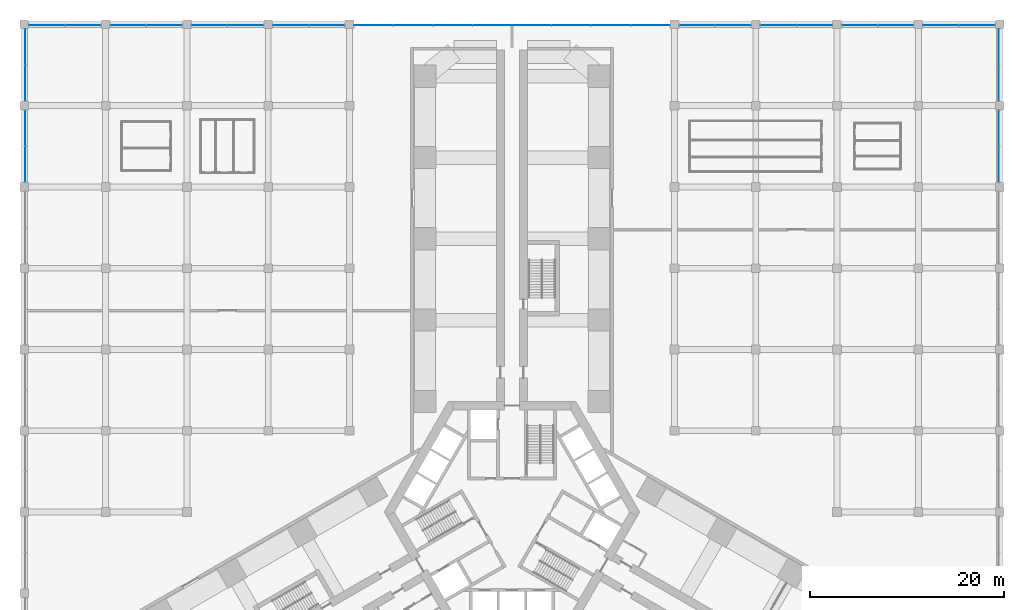
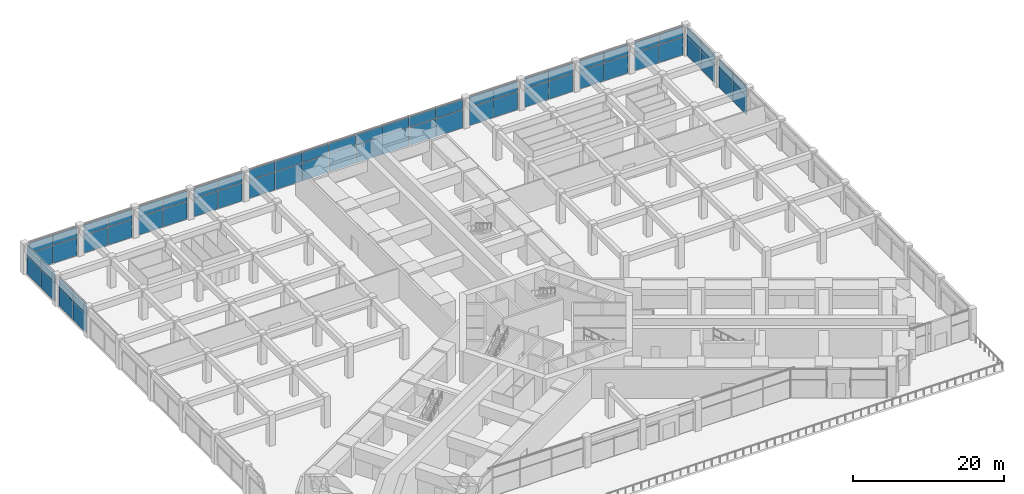
# One storey, part 25 of 34: 64 plates, 13 elements without a shape of their own.
"""IFC4 building model written with IfcOpenShell, lengths in metres."""

from ifc_helpers import new_model, si_unit, direction, frame, origin, origin_2d, place, context, subcontext, project, spatial, rectangle, extrude, material, layer, layer_set, type_object, element, aggregate, save


model = new_model("IFC4")

# Units and contexts
model_context = context("Model", 3, precision=1e-05, world=origin(), true_north=direction((0.0, 1.0)))
body_context = subcontext(model_context, "Body", "Model", "MODEL_VIEW")
ifc_project = project(units=[si_unit("LENGTHUNIT", "METRE"), si_unit("AREAUNIT", "SQUARE_METRE"), si_unit("VOLUMEUNIT", "CUBIC_METRE"), si_unit("PLANEANGLEUNIT", "RADIAN"), si_unit("MASSUNIT", "GRAM", prefix="KILO")], contexts=[model_context])

# Site, building, storey
site_placement = place(None, origin())
site = spatial("IfcSite", under=ifc_project, at=site_placement, CompositionType="ELEMENT")
building_placement = place(site_placement, origin())
building = spatial("IfcBuilding", under=site, at=building_placement, Name="Impinga Residences", CompositionType="ELEMENT")
storey_placement = place(building_placement, frame((0.0, 0.0, 11.0)))
storey = spatial("IfcBuildingStorey", under=building, at=storey_placement, Name="L02", CompositionType="ELEMENT", Elevation=11.0)

# Curtain wall, plates
ifc_material_1 = material(Name="Aluminium stick curtain wall", Category="aluminium")
curtain_wall_type = type_object("IfcCurtainWallType", Name="CW1 podium amenity curtain wall", PredefinedType="USERDEFINED", material=ifc_material_1)
curtain_wall_1_placement = place(storey_placement, origin())
curtain_wall_1 = element("IfcCurtainWall", 1, at=curtain_wall_1_placement, inside=storey, type_object=curtain_wall_type, Name="Curtain wall CW1 L02", ObjectType="STICK CURTAIN WALL", PredefinedType="USERDEFINED")
ifc_material_2 = material(Name="Clear double glazing", Category="glass")
ifc_layer = layer(ifc_material_2, 0.028076171875)
ifc_layer_set = layer_set([ifc_layer], Name="CW1-P clear double glazed panel 28")
plate_type = type_object("IfcPlateType", Name="CW1-P clear double glazed panel 28", PredefinedType="CURTAIN_PANEL", material=ifc_layer_set)
plate_1_placement = place(storey_placement, frame((-50.300048828125, 35.94140625, 0.06005859375), z_axis=(0.0, 0.0, 1.0), x_axis=(0.0, 1.0, 0.0)))
plate_1 = element("IfcPlate", 2, at=plate_1_placement, type_object=plate_type, Name="CW1 panel 1.1", PredefinedType="CURTAIN_PANEL", context=body_context, shape_type="SweptSolid", body=[
    extrude(rectangle(XDim=3.656982421875, YDim=0.028076171875, at=origin_2d()), origin(), (0.0, 0.0, 1.0), 2.909912109375),
])
plate_2_placement = place(storey_placement, frame((-50.300048828125, 35.94140625, 3.02978515625), z_axis=(0.0, 0.0, 1.0), x_axis=(0.0, 1.0, 0.0)))
plate_2 = element("IfcPlate", 3, at=plate_2_placement, type_object=plate_type, Name="CW1 panel 1.2", PredefinedType="CURTAIN_PANEL", context=body_context, shape_type="SweptSolid", body=[
    extrude(rectangle(XDim=3.656982421875, YDim=0.028076171875, at=origin_2d()), origin(), (0.0, 0.0, 1.0), 1.610107421875),
])
plate_3_placement = place(storey_placement, frame((-50.300048828125, 39.658447265625, 0.06005859375), z_axis=(0.0, 0.0, 1.0), x_axis=(0.0, 1.0, 0.0)))
plate_3 = element("IfcPlate", 4, at=plate_3_placement, type_object=plate_type, Name="CW1 panel 2.1", PredefinedType="CURTAIN_PANEL", context=body_context, shape_type="SweptSolid", body=[
    extrude(rectangle(XDim=3.656982421875, YDim=0.028076171875, at=origin_2d()), origin(), (0.0, 0.0, 1.0), 2.909912109375),
])
plate_4_placement = place(storey_placement, frame((-50.300048828125, 39.658447265625, 3.02978515625), z_axis=(0.0, 0.0, 1.0), x_axis=(0.0, 1.0, 0.0)))
plate_4 = element("IfcPlate", 5, at=plate_4_placement, type_object=plate_type, Name="CW1 panel 2.2", PredefinedType="CURTAIN_PANEL", context=body_context, shape_type="SweptSolid", body=[
    extrude(rectangle(XDim=3.656982421875, YDim=0.028076171875, at=origin_2d()), origin(), (0.0, 0.0, 1.0), 1.610107421875),
])
aggregate(curtain_wall_1, [plate_1, plate_2, plate_3, plate_4])

curtain_wall_2_placement = place(storey_placement, origin())
curtain_wall_2 = element("IfcCurtainWall", 6, at=curtain_wall_2_placement, inside=storey, type_object=curtain_wall_type, Name="Curtain wall CW1 L02", ObjectType="STICK CURTAIN WALL", PredefinedType="USERDEFINED")
plate_5_placement = place(storey_placement, frame((-50.300048828125, 44.341552734375, 0.06005859375), z_axis=(0.0, 0.0, 1.0), x_axis=(0.0, 1.0, 0.0)))
plate_5 = element("IfcPlate", 7, at=plate_5_placement, type_object=plate_type, Name="CW1 panel 1.1", PredefinedType="CURTAIN_PANEL", context=body_context, shape_type="SweptSolid", body=[
    extrude(rectangle(XDim=3.656982421875, YDim=0.028076171875, at=origin_2d()), origin(), (0.0, 0.0, 1.0), 2.909912109375),
])
plate_6_placement = place(storey_placement, frame((-50.300048828125, 44.341552734375, 3.02978515625), z_axis=(0.0, 0.0, 1.0), x_axis=(0.0, 1.0, 0.0)))
plate_6 = element("IfcPlate", 8, at=plate_6_placement, type_object=plate_type, Name="CW1 panel 1.2", PredefinedType="CURTAIN_PANEL", context=body_context, shape_type="SweptSolid", body=[
    extrude(rectangle(XDim=3.656982421875, YDim=0.028076171875, at=origin_2d()), origin(), (0.0, 0.0, 1.0), 1.610107421875),
])
plate_7_placement = place(storey_placement, frame((-50.300048828125, 48.05859375, 0.06005859375), z_axis=(0.0, 0.0, 1.0), x_axis=(0.0, 1.0, 0.0)))
plate_7 = element("IfcPlate", 9, at=plate_7_placement, type_object=plate_type, Name="CW1 panel 2.1", PredefinedType="CURTAIN_PANEL", context=body_context, shape_type="SweptSolid", body=[
    extrude(rectangle(XDim=3.656982421875, YDim=0.028076171875, at=origin_2d()), origin(), (0.0, 0.0, 1.0), 2.909912109375),
])
plate_8_placement = place(storey_placement, frame((-50.300048828125, 48.05859375, 3.02978515625), z_axis=(0.0, 0.0, 1.0), x_axis=(0.0, 1.0, 0.0)))
plate_8 = element("IfcPlate", 10, at=plate_8_placement, type_object=plate_type, Name="CW1 panel 2.2", PredefinedType="CURTAIN_PANEL", context=body_context, shape_type="SweptSolid", body=[
    extrude(rectangle(XDim=3.656982421875, YDim=0.028076171875, at=origin_2d()), origin(), (0.0, 0.0, 1.0), 1.610107421875),
])
aggregate(curtain_wall_2, [plate_5, plate_6, plate_7, plate_8])

curtain_wall_3_placement = place(storey_placement, origin())
curtain_wall_3 = element("IfcCurtainWall", 11, at=curtain_wall_3_placement, inside=storey, type_object=curtain_wall_type, Name="Curtain wall CW1 L02", ObjectType="STICK CURTAIN WALL", PredefinedType="USERDEFINED")
plate_9_placement = place(storey_placement, frame((-48.05859375, 50.300048828125, 0.06005859375), z_axis=(0.0, 0.0, 1.0), x_axis=(1.0, 0.0, 0.0)))
plate_9 = element("IfcPlate", 12, at=plate_9_placement, type_object=plate_type, Name="CW1 panel 1.1", PredefinedType="CURTAIN_PANEL", context=body_context, shape_type="SweptSolid", body=[
    extrude(rectangle(XDim=3.656982421875, YDim=0.028076171875, at=origin_2d()), origin(), (0.0, 0.0, 1.0), 2.909912109375),
])
plate_10_placement = place(storey_placement, frame((-48.05859375, 50.300048828125, 3.02978515625), z_axis=(0.0, 0.0, 1.0), x_axis=(1.0, 0.0, 0.0)))
plate_10 = element("IfcPlate", 13, at=plate_10_placement, type_object=plate_type, Name="CW1 panel 1.2", PredefinedType="CURTAIN_PANEL", context=body_context, shape_type="SweptSolid", body=[
    extrude(rectangle(XDim=3.656982421875, YDim=0.028076171875, at=origin_2d()), origin(), (0.0, 0.0, 1.0), 1.610107421875),
])
plate_11_placement = place(storey_placement, frame((-44.341552734375, 50.300048828125, 0.06005859375), z_axis=(0.0, 0.0, 1.0), x_axis=(1.0, 0.0, 0.0)))
plate_11 = element("IfcPlate", 14, at=plate_11_placement, type_object=plate_type, Name="CW1 panel 2.1", PredefinedType="CURTAIN_PANEL", context=body_context, shape_type="SweptSolid", body=[
    extrude(rectangle(XDim=3.656982421875, YDim=0.028076171875, at=origin_2d()), origin(), (0.0, 0.0, 1.0), 2.909912109375),
])
plate_12_placement = place(storey_placement, frame((-44.341552734375, 50.300048828125, 3.02978515625), z_axis=(0.0, 0.0, 1.0), x_axis=(1.0, 0.0, 0.0)))
plate_12 = element("IfcPlate", 15, at=plate_12_placement, type_object=plate_type, Name="CW1 panel 2.2", PredefinedType="CURTAIN_PANEL", context=body_context, shape_type="SweptSolid", body=[
    extrude(rectangle(XDim=3.656982421875, YDim=0.028076171875, at=origin_2d()), origin(), (0.0, 0.0, 1.0), 1.610107421875),
])
aggregate(curtain_wall_3, [plate_9, plate_10, plate_11, plate_12])

curtain_wall_4_placement = place(storey_placement, origin())
curtain_wall_4 = element("IfcCurtainWall", 16, at=curtain_wall_4_placement, inside=storey, type_object=curtain_wall_type, Name="Curtain wall CW1 L02", ObjectType="STICK CURTAIN WALL", PredefinedType="USERDEFINED")
plate_13_placement = place(storey_placement, frame((-39.658447265625, 50.300048828125, 0.06005859375), z_axis=(0.0, 0.0, 1.0), x_axis=(1.0, 0.0, 0.0)))
plate_13 = element("IfcPlate", 17, at=plate_13_placement, type_object=plate_type, Name="CW1 panel 1.1", PredefinedType="CURTAIN_PANEL", context=body_context, shape_type="SweptSolid", body=[
    extrude(rectangle(XDim=3.656982421875, YDim=0.028076171875, at=origin_2d()), origin(), (0.0, 0.0, 1.0), 2.909912109375),
])
plate_14_placement = place(storey_placement, frame((-39.658447265625, 50.300048828125, 3.02978515625), z_axis=(0.0, 0.0, 1.0), x_axis=(1.0, 0.0, 0.0)))
plate_14 = element("IfcPlate", 18, at=plate_14_placement, type_object=plate_type, Name="CW1 panel 1.2", PredefinedType="CURTAIN_PANEL", context=body_context, shape_type="SweptSolid", body=[
    extrude(rectangle(XDim=3.656982421875, YDim=0.028076171875, at=origin_2d()), origin(), (0.0, 0.0, 1.0), 1.610107421875),
])
plate_15_placement = place(storey_placement, frame((-35.94140625, 50.300048828125, 0.06005859375), z_axis=(0.0, 0.0, 1.0), x_axis=(1.0, 0.0, 0.0)))
plate_15 = element("IfcPlate", 19, at=plate_15_placement, type_object=plate_type, Name="CW1 panel 2.1", PredefinedType="CURTAIN_PANEL", context=body_context, shape_type="SweptSolid", body=[
    extrude(rectangle(XDim=3.656982421875, YDim=0.028076171875, at=origin_2d()), origin(), (0.0, 0.0, 1.0), 2.909912109375),
])
plate_16_placement = place(storey_placement, frame((-35.94140625, 50.300048828125, 3.02978515625), z_axis=(0.0, 0.0, 1.0), x_axis=(1.0, 0.0, 0.0)))
plate_16 = element("IfcPlate", 20, at=plate_16_placement, type_object=plate_type, Name="CW1 panel 2.2", PredefinedType="CURTAIN_PANEL", context=body_context, shape_type="SweptSolid", body=[
    extrude(rectangle(XDim=3.656982421875, YDim=0.028076171875, at=origin_2d()), origin(), (0.0, 0.0, 1.0), 1.610107421875),
])
aggregate(curtain_wall_4, [plate_13, plate_14, plate_15, plate_16])

curtain_wall_5_placement = place(storey_placement, origin())
curtain_wall_5 = element("IfcCurtainWall", 21, at=curtain_wall_5_placement, inside=storey, type_object=curtain_wall_type, Name="Curtain wall CW1 L02", ObjectType="STICK CURTAIN WALL", PredefinedType="USERDEFINED")
plate_17_placement = place(storey_placement, frame((-31.258544921875, 50.300048828125, 0.06005859375), z_axis=(0.0, 0.0, 1.0), x_axis=(1.0, 0.0, 0.0)))
plate_17 = element("IfcPlate", 22, at=plate_17_placement, type_object=plate_type, Name="CW1 panel 1.1", PredefinedType="CURTAIN_PANEL", context=body_context, shape_type="SweptSolid", body=[
    extrude(rectangle(XDim=3.656982421875, YDim=0.028076171875, at=origin_2d()), origin(), (0.0, 0.0, 1.0), 2.909912109375),
])
plate_18_placement = place(storey_placement, frame((-31.258544921875, 50.300048828125, 3.02978515625), z_axis=(0.0, 0.0, 1.0), x_axis=(1.0, 0.0, 0.0)))
plate_18 = element("IfcPlate", 23, at=plate_18_placement, type_object=plate_type, Name="CW1 panel 1.2", PredefinedType="CURTAIN_PANEL", context=body_context, shape_type="SweptSolid", body=[
    extrude(rectangle(XDim=3.656982421875, YDim=0.028076171875, at=origin_2d()), origin(), (0.0, 0.0, 1.0), 1.610107421875),
])
plate_19_placement = place(storey_placement, frame((-27.54150390625, 50.300048828125, 0.06005859375), z_axis=(0.0, 0.0, 1.0), x_axis=(1.0, 0.0, 0.0)))
plate_19 = element("IfcPlate", 24, at=plate_19_placement, type_object=plate_type, Name="CW1 panel 2.1", PredefinedType="CURTAIN_PANEL", context=body_context, shape_type="SweptSolid", body=[
    extrude(rectangle(XDim=3.656982421875, YDim=0.028076171875, at=origin_2d()), origin(), (0.0, 0.0, 1.0), 2.909912109375),
])
plate_20_placement = place(storey_placement, frame((-27.54150390625, 50.300048828125, 3.02978515625), z_axis=(0.0, 0.0, 1.0), x_axis=(1.0, 0.0, 0.0)))
plate_20 = element("IfcPlate", 25, at=plate_20_placement, type_object=plate_type, Name="CW1 panel 2.2", PredefinedType="CURTAIN_PANEL", context=body_context, shape_type="SweptSolid", body=[
    extrude(rectangle(XDim=3.656982421875, YDim=0.028076171875, at=origin_2d()), origin(), (0.0, 0.0, 1.0), 1.610107421875),
])
aggregate(curtain_wall_5, [plate_17, plate_18, plate_19, plate_20])

curtain_wall_6_placement = place(storey_placement, origin())
curtain_wall_6 = element("IfcCurtainWall", 26, at=curtain_wall_6_placement, inside=storey, type_object=curtain_wall_type, Name="Curtain wall CW1 L02", ObjectType="STICK CURTAIN WALL", PredefinedType="USERDEFINED")
plate_21_placement = place(storey_placement, frame((-22.8583984375, 50.300048828125, 0.06005859375), z_axis=(0.0, 0.0, 1.0), x_axis=(1.0, 0.0, 0.0)))
plate_21 = element("IfcPlate", 27, at=plate_21_placement, type_object=plate_type, Name="CW1 panel 1.1", PredefinedType="CURTAIN_PANEL", context=body_context, shape_type="SweptSolid", body=[
    extrude(rectangle(XDim=3.656982421875, YDim=0.028076171875, at=origin_2d()), origin(), (0.0, 0.0, 1.0), 2.909912109375),
])
plate_22_placement = place(storey_placement, frame((-22.8583984375, 50.300048828125, 3.02978515625), z_axis=(0.0, 0.0, 1.0), x_axis=(1.0, 0.0, 0.0)))
plate_22 = element("IfcPlate", 28, at=plate_22_placement, type_object=plate_type, Name="CW1 panel 1.2", PredefinedType="CURTAIN_PANEL", context=body_context, shape_type="SweptSolid", body=[
    extrude(rectangle(XDim=3.656982421875, YDim=0.028076171875, at=origin_2d()), origin(), (0.0, 0.0, 1.0), 1.610107421875),
])
plate_23_placement = place(storey_placement, frame((-19.1416015625, 50.300048828125, 0.06005859375), z_axis=(0.0, 0.0, 1.0), x_axis=(1.0, 0.0, 0.0)))
plate_23 = element("IfcPlate", 29, at=plate_23_placement, type_object=plate_type, Name="CW1 panel 2.1", PredefinedType="CURTAIN_PANEL", context=body_context, shape_type="SweptSolid", body=[
    extrude(rectangle(XDim=3.656982421875, YDim=0.028076171875, at=origin_2d()), origin(), (0.0, 0.0, 1.0), 2.909912109375),
])
plate_24_placement = place(storey_placement, frame((-19.1416015625, 50.300048828125, 3.02978515625), z_axis=(0.0, 0.0, 1.0), x_axis=(1.0, 0.0, 0.0)))
plate_24 = element("IfcPlate", 30, at=plate_24_placement, type_object=plate_type, Name="CW1 panel 2.2", PredefinedType="CURTAIN_PANEL", context=body_context, shape_type="SweptSolid", body=[
    extrude(rectangle(XDim=3.656982421875, YDim=0.028076171875, at=origin_2d()), origin(), (0.0, 0.0, 1.0), 1.610107421875),
])
aggregate(curtain_wall_6, [plate_21, plate_22, plate_23, plate_24])

curtain_wall_7_placement = place(storey_placement, origin())
curtain_wall_7 = element("IfcCurtainWall", 31, at=curtain_wall_7_placement, inside=storey, type_object=curtain_wall_type, Name="Curtain wall CW1 L02", ObjectType="STICK CURTAIN WALL", PredefinedType="USERDEFINED")
plate_25_placement = place(storey_placement, frame((-14.28857421875, 50.300048828125, 0.06005859375), z_axis=(0.0, 0.0, 1.0), x_axis=(1.0, 0.0, 0.0)))
plate_25 = element("IfcPlate", 32, at=plate_25_placement, type_object=plate_type, Name="CW1 panel 1.1", PredefinedType="CURTAIN_PANEL", context=body_context, shape_type="SweptSolid", body=[
    extrude(rectangle(XDim=3.996826171875, YDim=0.028076171875, at=origin_2d()), origin(), (0.0, 0.0, 1.0), 2.909912109375),
])
plate_26_placement = place(storey_placement, frame((-14.28857421875, 50.300048828125, 3.02978515625), z_axis=(0.0, 0.0, 1.0), x_axis=(1.0, 0.0, 0.0)))
plate_26 = element("IfcPlate", 33, at=plate_26_placement, type_object=plate_type, Name="CW1 panel 1.2", PredefinedType="CURTAIN_PANEL", context=body_context, shape_type="SweptSolid", body=[
    extrude(rectangle(XDim=3.996826171875, YDim=0.028076171875, at=origin_2d()), origin(), (0.0, 0.0, 1.0), 1.610107421875),
])
plate_27_placement = place(storey_placement, frame((-10.216796875, 50.300048828125, 0.06005859375), z_axis=(0.0, 0.0, 1.0), x_axis=(1.0, 0.0, 0.0)))
plate_27 = element("IfcPlate", 34, at=plate_27_placement, type_object=plate_type, Name="CW1 panel 2.1", PredefinedType="CURTAIN_PANEL", context=body_context, shape_type="SweptSolid", body=[
    extrude(rectangle(XDim=4.02685546875, YDim=0.028076171875, at=origin_2d()), origin(), (0.0, 0.0, 1.0), 2.909912109375),
])
plate_28_placement = place(storey_placement, frame((-10.216796875, 50.300048828125, 3.02978515625), z_axis=(0.0, 0.0, 1.0), x_axis=(1.0, 0.0, 0.0)))
plate_28 = element("IfcPlate", 35, at=plate_28_placement, type_object=plate_type, Name="CW1 panel 2.2", PredefinedType="CURTAIN_PANEL", context=body_context, shape_type="SweptSolid", body=[
    extrude(rectangle(XDim=4.02685546875, YDim=0.028076171875, at=origin_2d()), origin(), (0.0, 0.0, 1.0), 1.610107421875),
])
plate_29_placement = place(storey_placement, frame((-6.130126953125, 50.300048828125, 0.06005859375), z_axis=(0.0, 0.0, 1.0), x_axis=(1.0, 0.0, 0.0)))
plate_29 = element("IfcPlate", 36, at=plate_29_placement, type_object=plate_type, Name="CW1 panel 3.1", PredefinedType="CURTAIN_PANEL", context=body_context, shape_type="SweptSolid", body=[
    extrude(rectangle(XDim=4.02685546875, YDim=0.028076171875, at=origin_2d()), origin(), (0.0, 0.0, 1.0), 2.909912109375),
])
plate_30_placement = place(storey_placement, frame((-6.130126953125, 50.300048828125, 3.02978515625), z_axis=(0.0, 0.0, 1.0), x_axis=(1.0, 0.0, 0.0)))
plate_30 = element("IfcPlate", 37, at=plate_30_placement, type_object=plate_type, Name="CW1 panel 3.2", PredefinedType="CURTAIN_PANEL", context=body_context, shape_type="SweptSolid", body=[
    extrude(rectangle(XDim=4.02685546875, YDim=0.028076171875, at=origin_2d()), origin(), (0.0, 0.0, 1.0), 1.610107421875),
])
plate_31_placement = place(storey_placement, frame((-2.04345703125, 50.300048828125, 0.06005859375), z_axis=(0.0, 0.0, 1.0), x_axis=(1.0, 0.0, 0.0)))
plate_31 = element("IfcPlate", 38, at=plate_31_placement, type_object=plate_type, Name="CW1 panel 4.1", PredefinedType="CURTAIN_PANEL", context=body_context, shape_type="SweptSolid", body=[
    extrude(rectangle(XDim=4.02685546875, YDim=0.028076171875, at=origin_2d()), origin(), (0.0, 0.0, 1.0), 2.909912109375),
])
plate_32_placement = place(storey_placement, frame((-2.04345703125, 50.300048828125, 3.02978515625), z_axis=(0.0, 0.0, 1.0), x_axis=(1.0, 0.0, 0.0)))
plate_32 = element("IfcPlate", 39, at=plate_32_placement, type_object=plate_type, Name="CW1 panel 4.2", PredefinedType="CURTAIN_PANEL", context=body_context, shape_type="SweptSolid", body=[
    extrude(rectangle(XDim=4.02685546875, YDim=0.028076171875, at=origin_2d()), origin(), (0.0, 0.0, 1.0), 1.610107421875),
])
plate_33_placement = place(storey_placement, frame((2.04345703125, 50.300048828125, 0.06005859375), z_axis=(0.0, 0.0, 1.0), x_axis=(1.0, 0.0, 0.0)))
plate_33 = element("IfcPlate", 40, at=plate_33_placement, type_object=plate_type, Name="CW1 panel 5.1", PredefinedType="CURTAIN_PANEL", context=body_context, shape_type="SweptSolid", body=[
    extrude(rectangle(XDim=4.02685546875, YDim=0.028076171875, at=origin_2d()), origin(), (0.0, 0.0, 1.0), 2.909912109375),
])
plate_34_placement = place(storey_placement, frame((2.04345703125, 50.300048828125, 3.02978515625), z_axis=(0.0, 0.0, 1.0), x_axis=(1.0, 0.0, 0.0)))
plate_34 = element("IfcPlate", 41, at=plate_34_placement, type_object=plate_type, Name="CW1 panel 5.2", PredefinedType="CURTAIN_PANEL", context=body_context, shape_type="SweptSolid", body=[
    extrude(rectangle(XDim=4.02685546875, YDim=0.028076171875, at=origin_2d()), origin(), (0.0, 0.0, 1.0), 1.610107421875),
])
plate_35_placement = place(storey_placement, frame((6.130126953125, 50.300048828125, 0.06005859375), z_axis=(0.0, 0.0, 1.0), x_axis=(1.0, 0.0, 0.0)))
plate_35 = element("IfcPlate", 42, at=plate_35_placement, type_object=plate_type, Name="CW1 panel 6.1", PredefinedType="CURTAIN_PANEL", context=body_context, shape_type="SweptSolid", body=[
    extrude(rectangle(XDim=4.02685546875, YDim=0.028076171875, at=origin_2d()), origin(), (0.0, 0.0, 1.0), 2.909912109375),
])
plate_36_placement = place(storey_placement, frame((6.130126953125, 50.300048828125, 3.02978515625), z_axis=(0.0, 0.0, 1.0), x_axis=(1.0, 0.0, 0.0)))
plate_36 = element("IfcPlate", 43, at=plate_36_placement, type_object=plate_type, Name="CW1 panel 6.2", PredefinedType="CURTAIN_PANEL", context=body_context, shape_type="SweptSolid", body=[
    extrude(rectangle(XDim=4.02685546875, YDim=0.028076171875, at=origin_2d()), origin(), (0.0, 0.0, 1.0), 1.610107421875),
])
plate_37_placement = place(storey_placement, frame((10.216796875, 50.300048828125, 0.06005859375), z_axis=(0.0, 0.0, 1.0), x_axis=(1.0, 0.0, 0.0)))
plate_37 = element("IfcPlate", 44, at=plate_37_placement, type_object=plate_type, Name="CW1 panel 7.1", PredefinedType="CURTAIN_PANEL", context=body_context, shape_type="SweptSolid", body=[
    extrude(rectangle(XDim=4.02685546875, YDim=0.028076171875, at=origin_2d()), origin(), (0.0, 0.0, 1.0), 2.909912109375),
])
plate_38_placement = place(storey_placement, frame((10.216796875, 50.300048828125, 3.02978515625), z_axis=(0.0, 0.0, 1.0), x_axis=(1.0, 0.0, 0.0)))
plate_38 = element("IfcPlate", 45, at=plate_38_placement, type_object=plate_type, Name="CW1 panel 7.2", PredefinedType="CURTAIN_PANEL", context=body_context, shape_type="SweptSolid", body=[
    extrude(rectangle(XDim=4.02685546875, YDim=0.028076171875, at=origin_2d()), origin(), (0.0, 0.0, 1.0), 1.610107421875),
])
plate_39_placement = place(storey_placement, frame((14.28857421875, 50.300048828125, 0.06005859375), z_axis=(0.0, 0.0, 1.0), x_axis=(1.0, 0.0, 0.0)))
plate_39 = element("IfcPlate", 46, at=plate_39_placement, type_object=plate_type, Name="CW1 panel 8.1", PredefinedType="CURTAIN_PANEL", context=body_context, shape_type="SweptSolid", body=[
    extrude(rectangle(XDim=3.996826171875, YDim=0.028076171875, at=origin_2d()), origin(), (0.0, 0.0, 1.0), 2.909912109375),
])
plate_40_placement = place(storey_placement, frame((14.28857421875, 50.300048828125, 3.02978515625), z_axis=(0.0, 0.0, 1.0), x_axis=(1.0, 0.0, 0.0)))
plate_40 = element("IfcPlate", 47, at=plate_40_placement, type_object=plate_type, Name="CW1 panel 8.2", PredefinedType="CURTAIN_PANEL", context=body_context, shape_type="SweptSolid", body=[
    extrude(rectangle(XDim=3.996826171875, YDim=0.028076171875, at=origin_2d()), origin(), (0.0, 0.0, 1.0), 1.610107421875),
])
aggregate(curtain_wall_7, [plate_25, plate_26, plate_27, plate_28, plate_29, plate_30, plate_31, plate_32, plate_33, plate_34, plate_35, plate_36, plate_37, plate_38, plate_39, plate_40])

curtain_wall_8_placement = place(storey_placement, origin())
curtain_wall_8 = element("IfcCurtainWall", 48, at=curtain_wall_8_placement, inside=storey, type_object=curtain_wall_type, Name="Curtain wall CW1 L02", ObjectType="STICK CURTAIN WALL", PredefinedType="USERDEFINED")
plate_41_placement = place(storey_placement, frame((19.1416015625, 50.300048828125, 0.06005859375), z_axis=(0.0, 0.0, 1.0), x_axis=(1.0, 0.0, 0.0)))
plate_41 = element("IfcPlate", 49, at=plate_41_placement, type_object=plate_type, Name="CW1 panel 1.1", PredefinedType="CURTAIN_PANEL", context=body_context, shape_type="SweptSolid", body=[
    extrude(rectangle(XDim=3.656982421875, YDim=0.028076171875, at=origin_2d()), origin(), (0.0, 0.0, 1.0), 2.909912109375),
])
plate_42_placement = place(storey_placement, frame((19.1416015625, 50.300048828125, 3.02978515625), z_axis=(0.0, 0.0, 1.0), x_axis=(1.0, 0.0, 0.0)))
plate_42 = element("IfcPlate", 50, at=plate_42_placement, type_object=plate_type, Name="CW1 panel 1.2", PredefinedType="CURTAIN_PANEL", context=body_context, shape_type="SweptSolid", body=[
    extrude(rectangle(XDim=3.656982421875, YDim=0.028076171875, at=origin_2d()), origin(), (0.0, 0.0, 1.0), 1.610107421875),
])
plate_43_placement = place(storey_placement, frame((22.8583984375, 50.300048828125, 0.06005859375), z_axis=(0.0, 0.0, 1.0), x_axis=(1.0, 0.0, 0.0)))
plate_43 = element("IfcPlate", 51, at=plate_43_placement, type_object=plate_type, Name="CW1 panel 2.1", PredefinedType="CURTAIN_PANEL", context=body_context, shape_type="SweptSolid", body=[
    extrude(rectangle(XDim=3.656982421875, YDim=0.028076171875, at=origin_2d()), origin(), (0.0, 0.0, 1.0), 2.909912109375),
])
plate_44_placement = place(storey_placement, frame((22.8583984375, 50.300048828125, 3.02978515625), z_axis=(0.0, 0.0, 1.0), x_axis=(1.0, 0.0, 0.0)))
plate_44 = element("IfcPlate", 52, at=plate_44_placement, type_object=plate_type, Name="CW1 panel 2.2", PredefinedType="CURTAIN_PANEL", context=body_context, shape_type="SweptSolid", body=[
    extrude(rectangle(XDim=3.656982421875, YDim=0.028076171875, at=origin_2d()), origin(), (0.0, 0.0, 1.0), 1.610107421875),
])
aggregate(curtain_wall_8, [plate_41, plate_42, plate_43, plate_44])

curtain_wall_9_placement = place(storey_placement, origin())
curtain_wall_9 = element("IfcCurtainWall", 53, at=curtain_wall_9_placement, inside=storey, type_object=curtain_wall_type, Name="Curtain wall CW1 L02", ObjectType="STICK CURTAIN WALL", PredefinedType="USERDEFINED")
plate_45_placement = place(storey_placement, frame((27.54150390625, 50.300048828125, 0.06005859375), z_axis=(0.0, 0.0, 1.0), x_axis=(1.0, 0.0, 0.0)))
plate_45 = element("IfcPlate", 54, at=plate_45_placement, type_object=plate_type, Name="CW1 panel 1.1", PredefinedType="CURTAIN_PANEL", context=body_context, shape_type="SweptSolid", body=[
    extrude(rectangle(XDim=3.656982421875, YDim=0.028076171875, at=origin_2d()), origin(), (0.0, 0.0, 1.0), 2.909912109375),
])
plate_46_placement = place(storey_placement, frame((27.54150390625, 50.300048828125, 3.02978515625), z_axis=(0.0, 0.0, 1.0), x_axis=(1.0, 0.0, 0.0)))
plate_46 = element("IfcPlate", 55, at=plate_46_placement, type_object=plate_type, Name="CW1 panel 1.2", PredefinedType="CURTAIN_PANEL", context=body_context, shape_type="SweptSolid", body=[
    extrude(rectangle(XDim=3.656982421875, YDim=0.028076171875, at=origin_2d()), origin(), (0.0, 0.0, 1.0), 1.610107421875),
])
plate_47_placement = place(storey_placement, frame((31.258544921875, 50.300048828125, 0.06005859375), z_axis=(0.0, 0.0, 1.0), x_axis=(1.0, 0.0, 0.0)))
plate_47 = element("IfcPlate", 56, at=plate_47_placement, type_object=plate_type, Name="CW1 panel 2.1", PredefinedType="CURTAIN_PANEL", context=body_context, shape_type="SweptSolid", body=[
    extrude(rectangle(XDim=3.656982421875, YDim=0.028076171875, at=origin_2d()), origin(), (0.0, 0.0, 1.0), 2.909912109375),
])
plate_48_placement = place(storey_placement, frame((31.258544921875, 50.300048828125, 3.02978515625), z_axis=(0.0, 0.0, 1.0), x_axis=(1.0, 0.0, 0.0)))
plate_48 = element("IfcPlate", 57, at=plate_48_placement, type_object=plate_type, Name="CW1 panel 2.2", PredefinedType="CURTAIN_PANEL", context=body_context, shape_type="SweptSolid", body=[
    extrude(rectangle(XDim=3.656982421875, YDim=0.028076171875, at=origin_2d()), origin(), (0.0, 0.0, 1.0), 1.610107421875),
])
aggregate(curtain_wall_9, [plate_45, plate_46, plate_47, plate_48])

curtain_wall_10_placement = place(storey_placement, origin())
curtain_wall_10 = element("IfcCurtainWall", 58, at=curtain_wall_10_placement, inside=storey, type_object=curtain_wall_type, Name="Curtain wall CW1 L02", ObjectType="STICK CURTAIN WALL", PredefinedType="USERDEFINED")
plate_49_placement = place(storey_placement, frame((35.94140625, 50.300048828125, 0.06005859375), z_axis=(0.0, 0.0, 1.0), x_axis=(1.0, 0.0, 0.0)))
plate_49 = element("IfcPlate", 59, at=plate_49_placement, type_object=plate_type, Name="CW1 panel 1.1", PredefinedType="CURTAIN_PANEL", context=body_context, shape_type="SweptSolid", body=[
    extrude(rectangle(XDim=3.656982421875, YDim=0.028076171875, at=origin_2d()), origin(), (0.0, 0.0, 1.0), 2.909912109375),
])
plate_50_placement = place(storey_placement, frame((35.94140625, 50.300048828125, 3.02978515625), z_axis=(0.0, 0.0, 1.0), x_axis=(1.0, 0.0, 0.0)))
plate_50 = element("IfcPlate", 60, at=plate_50_placement, type_object=plate_type, Name="CW1 panel 1.2", PredefinedType="CURTAIN_PANEL", context=body_context, shape_type="SweptSolid", body=[
    extrude(rectangle(XDim=3.656982421875, YDim=0.028076171875, at=origin_2d()), origin(), (0.0, 0.0, 1.0), 1.610107421875),
])
plate_51_placement = place(storey_placement, frame((39.658447265625, 50.300048828125, 0.06005859375), z_axis=(0.0, 0.0, 1.0), x_axis=(1.0, 0.0, 0.0)))
plate_51 = element("IfcPlate", 61, at=plate_51_placement, type_object=plate_type, Name="CW1 panel 2.1", PredefinedType="CURTAIN_PANEL", context=body_context, shape_type="SweptSolid", body=[
    extrude(rectangle(XDim=3.656982421875, YDim=0.028076171875, at=origin_2d()), origin(), (0.0, 0.0, 1.0), 2.909912109375),
])
plate_52_placement = place(storey_placement, frame((39.658447265625, 50.300048828125, 3.02978515625), z_axis=(0.0, 0.0, 1.0), x_axis=(1.0, 0.0, 0.0)))
plate_52 = element("IfcPlate", 62, at=plate_52_placement, type_object=plate_type, Name="CW1 panel 2.2", PredefinedType="CURTAIN_PANEL", context=body_context, shape_type="SweptSolid", body=[
    extrude(rectangle(XDim=3.656982421875, YDim=0.028076171875, at=origin_2d()), origin(), (0.0, 0.0, 1.0), 1.610107421875),
])
aggregate(curtain_wall_10, [plate_49, plate_50, plate_51, plate_52])

curtain_wall_11_placement = place(storey_placement, origin())
curtain_wall_11 = element("IfcCurtainWall", 63, at=curtain_wall_11_placement, inside=storey, type_object=curtain_wall_type, Name="Curtain wall CW1 L02", ObjectType="STICK CURTAIN WALL", PredefinedType="USERDEFINED")
plate_53_placement = place(storey_placement, frame((44.341552734375, 50.300048828125, 0.06005859375), z_axis=(0.0, 0.0, 1.0), x_axis=(1.0, 0.0, 0.0)))
plate_53 = element("IfcPlate", 64, at=plate_53_placement, type_object=plate_type, Name="CW1 panel 1.1", PredefinedType="CURTAIN_PANEL", context=body_context, shape_type="SweptSolid", body=[
    extrude(rectangle(XDim=3.656982421875, YDim=0.028076171875, at=origin_2d()), origin(), (0.0, 0.0, 1.0), 2.909912109375),
])
plate_54_placement = place(storey_placement, frame((44.341552734375, 50.300048828125, 3.02978515625), z_axis=(0.0, 0.0, 1.0), x_axis=(1.0, 0.0, 0.0)))
plate_54 = element("IfcPlate", 65, at=plate_54_placement, type_object=plate_type, Name="CW1 panel 1.2", PredefinedType="CURTAIN_PANEL", context=body_context, shape_type="SweptSolid", body=[
    extrude(rectangle(XDim=3.656982421875, YDim=0.028076171875, at=origin_2d()), origin(), (0.0, 0.0, 1.0), 1.610107421875),
])
plate_55_placement = place(storey_placement, frame((48.05859375, 50.300048828125, 0.06005859375), z_axis=(0.0, 0.0, 1.0), x_axis=(1.0, 0.0, 0.0)))
plate_55 = element("IfcPlate", 66, at=plate_55_placement, type_object=plate_type, Name="CW1 panel 2.1", PredefinedType="CURTAIN_PANEL", context=body_context, shape_type="SweptSolid", body=[
    extrude(rectangle(XDim=3.656982421875, YDim=0.028076171875, at=origin_2d()), origin(), (0.0, 0.0, 1.0), 2.909912109375),
])
plate_56_placement = place(storey_placement, frame((48.05859375, 50.300048828125, 3.02978515625), z_axis=(0.0, 0.0, 1.0), x_axis=(1.0, 0.0, 0.0)))
plate_56 = element("IfcPlate", 67, at=plate_56_placement, type_object=plate_type, Name="CW1 panel 2.2", PredefinedType="CURTAIN_PANEL", context=body_context, shape_type="SweptSolid", body=[
    extrude(rectangle(XDim=3.656982421875, YDim=0.028076171875, at=origin_2d()), origin(), (0.0, 0.0, 1.0), 1.610107421875),
])
aggregate(curtain_wall_11, [plate_53, plate_54, plate_55, plate_56])

curtain_wall_12_placement = place(storey_placement, origin())
curtain_wall_12 = element("IfcCurtainWall", 68, at=curtain_wall_12_placement, inside=storey, type_object=curtain_wall_type, Name="Curtain wall CW1 L02", ObjectType="STICK CURTAIN WALL", PredefinedType="USERDEFINED")
plate_57_placement = place(storey_placement, frame((50.300048828125, 48.05859375, 0.06005859375), z_axis=(0.0, 0.0, 1.0), x_axis=(0.0, -1.0, 0.0)))
plate_57 = element("IfcPlate", 69, at=plate_57_placement, type_object=plate_type, Name="CW1 panel 1.1", PredefinedType="CURTAIN_PANEL", context=body_context, shape_type="SweptSolid", body=[
    extrude(rectangle(XDim=3.656982421875, YDim=0.028076171875, at=origin_2d()), origin(), (0.0, 0.0, 1.0), 2.909912109375),
])
plate_58_placement = place(storey_placement, frame((50.300048828125, 48.05859375, 3.02978515625), z_axis=(0.0, 0.0, 1.0), x_axis=(0.0, -1.0, 0.0)))
plate_58 = element("IfcPlate", 70, at=plate_58_placement, type_object=plate_type, Name="CW1 panel 1.2", PredefinedType="CURTAIN_PANEL", context=body_context, shape_type="SweptSolid", body=[
    extrude(rectangle(XDim=3.656982421875, YDim=0.028076171875, at=origin_2d()), origin(), (0.0, 0.0, 1.0), 1.610107421875),
])
plate_59_placement = place(storey_placement, frame((50.300048828125, 44.341552734375, 0.06005859375), z_axis=(0.0, 0.0, 1.0), x_axis=(0.0, -1.0, 0.0)))
plate_59 = element("IfcPlate", 71, at=plate_59_placement, type_object=plate_type, Name="CW1 panel 2.1", PredefinedType="CURTAIN_PANEL", context=body_context, shape_type="SweptSolid", body=[
    extrude(rectangle(XDim=3.656982421875, YDim=0.028076171875, at=origin_2d()), origin(), (0.0, 0.0, 1.0), 2.909912109375),
])
plate_60_placement = place(storey_placement, frame((50.300048828125, 44.341552734375, 3.02978515625), z_axis=(0.0, 0.0, 1.0), x_axis=(0.0, -1.0, 0.0)))
plate_60 = element("IfcPlate", 72, at=plate_60_placement, type_object=plate_type, Name="CW1 panel 2.2", PredefinedType="CURTAIN_PANEL", context=body_context, shape_type="SweptSolid", body=[
    extrude(rectangle(XDim=3.656982421875, YDim=0.028076171875, at=origin_2d()), origin(), (0.0, 0.0, 1.0), 1.610107421875),
])
aggregate(curtain_wall_12, [plate_57, plate_58, plate_59, plate_60])

curtain_wall_13_placement = place(storey_placement, origin())
curtain_wall_13 = element("IfcCurtainWall", 73, at=curtain_wall_13_placement, inside=storey, type_object=curtain_wall_type, Name="Curtain wall CW1 L02", ObjectType="STICK CURTAIN WALL", PredefinedType="USERDEFINED")
plate_61_placement = place(storey_placement, frame((50.300048828125, 39.658447265625, 0.06005859375), z_axis=(0.0, 0.0, 1.0), x_axis=(0.0, -1.0, 0.0)))
plate_61 = element("IfcPlate", 74, at=plate_61_placement, type_object=plate_type, Name="CW1 panel 1.1", PredefinedType="CURTAIN_PANEL", context=body_context, shape_type="SweptSolid", body=[
    extrude(rectangle(XDim=3.656982421875, YDim=0.028076171875, at=origin_2d()), origin(), (0.0, 0.0, 1.0), 2.909912109375),
])
plate_62_placement = place(storey_placement, frame((50.300048828125, 39.658447265625, 3.02978515625), z_axis=(0.0, 0.0, 1.0), x_axis=(0.0, -1.0, 0.0)))
plate_62 = element("IfcPlate", 75, at=plate_62_placement, type_object=plate_type, Name="CW1 panel 1.2", PredefinedType="CURTAIN_PANEL", context=body_context, shape_type="SweptSolid", body=[
    extrude(rectangle(XDim=3.656982421875, YDim=0.028076171875, at=origin_2d()), origin(), (0.0, 0.0, 1.0), 1.610107421875),
])
plate_63_placement = place(storey_placement, frame((50.300048828125, 35.94140625, 0.06005859375), z_axis=(0.0, 0.0, 1.0), x_axis=(0.0, -1.0, 0.0)))
plate_63 = element("IfcPlate", 76, at=plate_63_placement, type_object=plate_type, Name="CW1 panel 2.1", PredefinedType="CURTAIN_PANEL", context=body_context, shape_type="SweptSolid", body=[
    extrude(rectangle(XDim=3.656982421875, YDim=0.028076171875, at=origin_2d()), origin(), (0.0, 0.0, 1.0), 2.909912109375),
])
plate_64_placement = place(storey_placement, frame((50.300048828125, 35.94140625, 3.02978515625), z_axis=(0.0, 0.0, 1.0), x_axis=(0.0, -1.0, 0.0)))
plate_64 = element("IfcPlate", 77, at=plate_64_placement, type_object=plate_type, Name="CW1 panel 2.2", PredefinedType="CURTAIN_PANEL", context=body_context, shape_type="SweptSolid", body=[
    extrude(rectangle(XDim=3.656982421875, YDim=0.028076171875, at=origin_2d()), origin(), (0.0, 0.0, 1.0), 1.610107421875),
])
aggregate(curtain_wall_13, [plate_61, plate_62, plate_63, plate_64])

save(model, "model.ifc")
